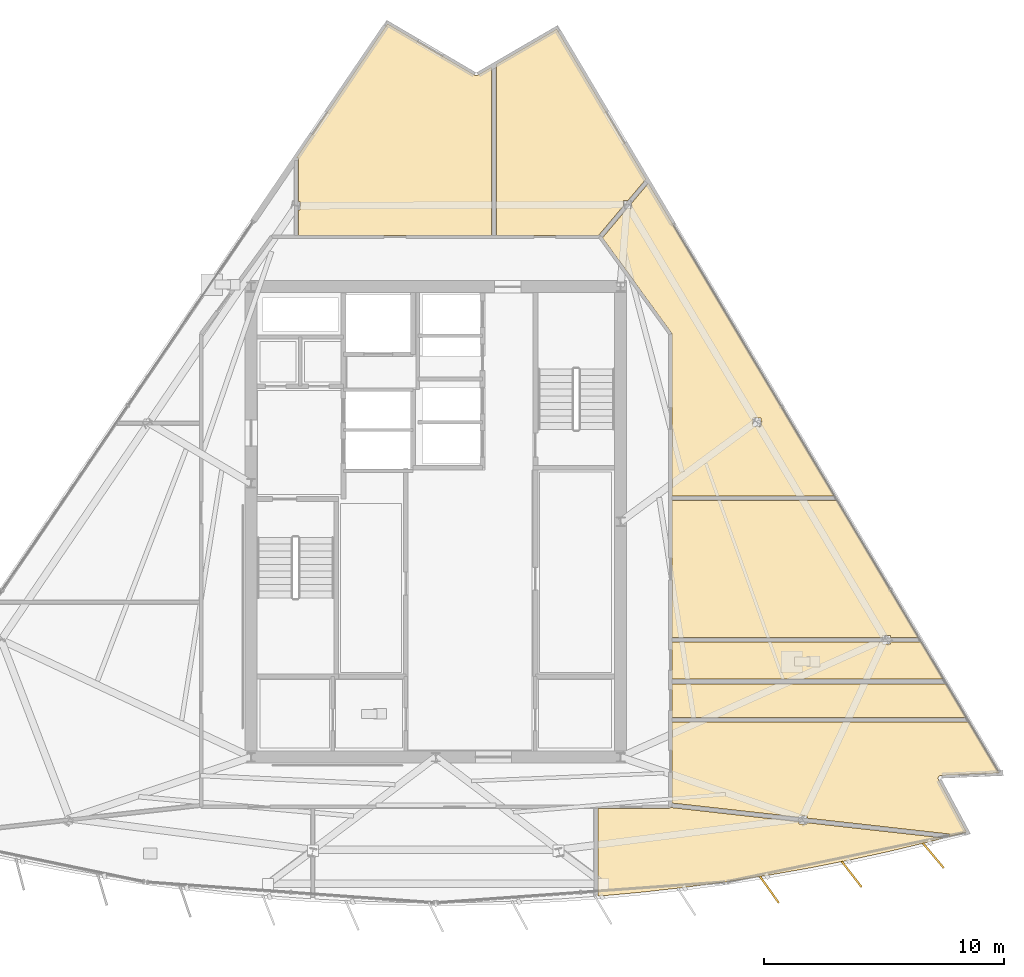
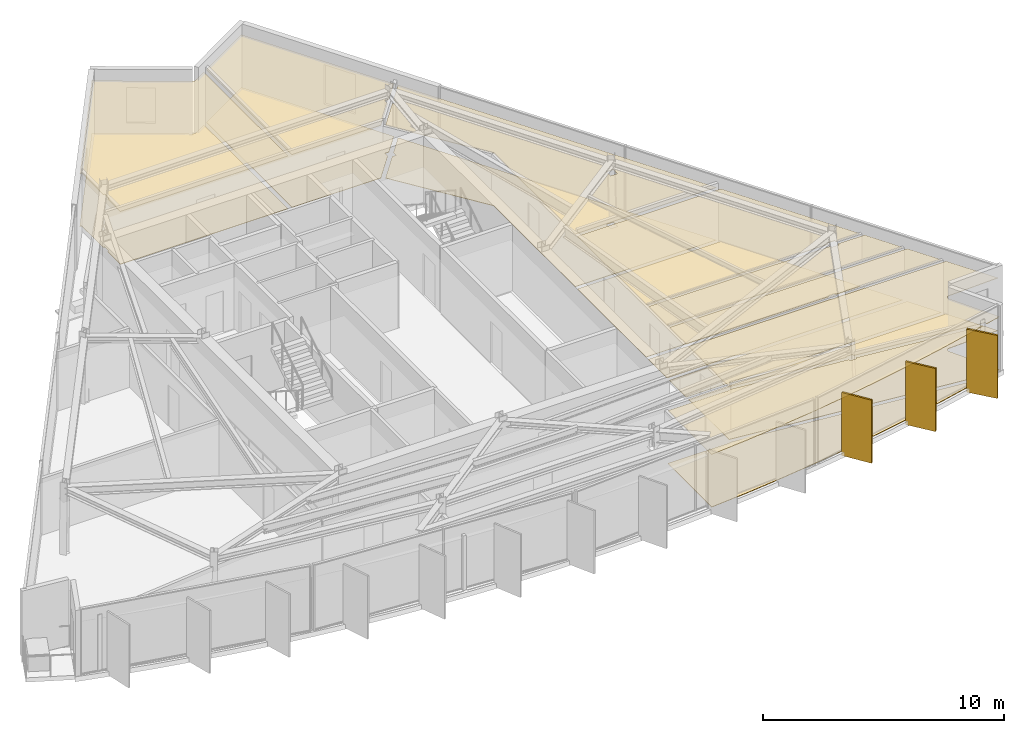
# One storey, part 11 of 12: 16 coverings, 3 shading devices.
"""IFC4 building model written with IfcOpenShell, lengths in metres."""

from ifc_helpers import new_model, si_unit, direction, frame, origin, origin_2d, place, context, subcontext, project, spatial, polyline, rectangle, outline, extrude, material, layer, layer_set, type_object, element, save


model = new_model("IFC4")

# Units and contexts
model_context = context("Model", 3, precision=1e-05, world=origin(), true_north=direction((0.0, 1.0)))
body_context = subcontext(model_context, "Body", "Model", "MODEL_VIEW")
ifc_project = project(units=[si_unit("LENGTHUNIT", "METRE"), si_unit("AREAUNIT", "SQUARE_METRE"), si_unit("VOLUMEUNIT", "CUBIC_METRE"), si_unit("PLANEANGLEUNIT", "RADIAN"), si_unit("MASSUNIT", "GRAM", prefix="KILO")], contexts=[model_context])

# Site, building, storey
site_placement = place(None, origin())
site = spatial("IfcSite", under=ifc_project, at=site_placement, CompositionType="ELEMENT")
building_placement = place(site_placement, origin())
building = spatial("IfcBuilding", under=site, at=building_placement, Name="Savorim Split Tower", CompositionType="ELEMENT")
storey_placement = place(building_placement, frame((0.0, 0.0, 279.60009765625)))
storey = spatial("IfcBuildingStorey", under=building, at=storey_placement, Name="L74", CompositionType="ELEMENT", Elevation=279.60009765625)

# Coverings
ifc_material_1 = material(Name="Mineral Fibre Acoustic Ceiling")
ifc_layer_1 = layer(ifc_material_1, 0.02490234375)
ifc_layer_set_1 = layer_set([ifc_layer_1], Name="COV-CEIL-25")
covering_type_1 = type_object("IfcCoveringType", Name="COV-CEIL-25", PredefinedType="CEILING", material=ifc_layer_set_1)
covering_1_placement = place(storey_placement, frame((0.0, 0.0, 2.669921875)))
element("IfcCovering", 1, at=covering_1_placement, inside=storey, type_object=covering_type_1, Name="L74 Maker Workshop Acoustic Ceiling", PredefinedType="CEILING", context=body_context, shape_type="SweptSolid", body=[
    extrude(outline(polyline([(15.5078125, -14.036865234375), (17.2080078125, -13.7021484375), (18.90087890625, -13.332763671875), (20.5859375, -12.9287109375), (21.17578125, -12.7744140625), (15.460693359375, -12.13671875), (15.460693359375, -12.19775390625), (15.1318359375, -12.19775390625), (15.1318359375, -12.099853515625), (9.82861328125, -11.508056640625), (9.793212890625, -11.504150390625), (9.788818359375, -11.50830078125), (9.77783203125, -11.516357421875), (9.76611328125, -11.5234375), (9.753662109375, -11.529296875), (9.740478515625, -11.533935546875), (9.727294921875, -11.537353515625), (9.713623046875, -11.539306640625), (9.699951171875, -11.5400390625), (6.768798828125, -11.5400390625), (6.768798828125, -15.196533203125), (6.923583984375, -15.185546875), (8.649169921875, -15.026123046875), (10.37109375, -14.83154296875), (12.088623046875, -14.601806640625), (13.801025390625, -14.3369140625), (15.5078125, -14.036865234375)])), origin(), (0.0, 0.0, 1.0), 0.02490234375),
])
covering_2_placement = place(storey_placement, frame((0.0, 0.0, 2.669921875)))
element("IfcCovering", 2, at=covering_2_placement, inside=storey, type_object=covering_type_1, Name="L74 Quiet Study Room Acoustic Ceiling", PredefinedType="CEILING", context=body_context, shape_type="SweptSolid", body=[
    extrude(outline(polyline([(21.022705078125, -10.172119140625), (21.033935546875, -10.169921875), (21.04541015625, -10.168701171875), (23.469970703125, -10.065673828125), (22.208984375, -7.9453125), (9.840087890625, -7.9453125), (9.840087890625, -11.318115234375), (15.1318359375, -11.90869140625), (15.1318359375, -11.84765625), (15.460693359375, -11.84765625), (15.460693359375, -11.945556640625), (21.303955078125, -12.59765625), (21.3984375, -12.608154296875), (21.385986328125, -12.719482421875), (22.1162109375, -12.528564453125), (20.94482421875, -10.345458984375), (20.93994140625, -10.3349609375), (20.93603515625, -10.32421875), (20.93310546875, -10.31298828125), (20.931396484375, -10.301513671875), (20.9306640625, -10.2900390625), (20.930908203125, -10.278564453125), (20.9326171875, -10.26708984375), (20.935302734375, -10.255859375), (20.93896484375, -10.244873046875), (20.943603515625, -10.234375), (20.94921875, -10.224365234375), (20.9560546875, -10.21484375), (20.96337890625, -10.206298828125), (20.9716796875, -10.1982421875), (20.98095703125, -10.19091796875), (20.990478515625, -10.184814453125), (21.0009765625, -10.179443359375), (21.01171875, -10.17529296875), (21.022705078125, -10.172119140625)])), origin(), (0.0, 0.0, 1.0), 0.02490234375),
])
covering_3_placement = place(storey_placement, frame((0.0, 0.0, 2.669921875)))
element("IfcCovering", 3, at=covering_3_placement, inside=storey, type_object=covering_type_1, Name="L74 Co-Living Bedroom Acoustic Ceiling", PredefinedType="CEILING", context=body_context, shape_type="SweptSolid", body=[
    extrude(outline(polyline([(22.095947265625, -7.755126953125), (21.260009765625, -6.34912109375), (9.840087890625, -6.34912109375), (9.840087890625, -7.755126953125), (22.095947265625, -7.755126953125)])), origin(), (0.0, 0.0, 1.0), 0.02490234375),
])
covering_4_placement = place(storey_placement, frame((0.0, 0.0, 2.669921875)))
element("IfcCovering", 4, at=covering_4_placement, inside=storey, type_object=covering_type_1, Name="L74 Shared Bathroom Acoustic Ceiling", PredefinedType="CEILING", context=body_context, shape_type="SweptSolid", body=[
    extrude(outline(polyline([(18.609130859375, -4.6865234375), (18.609130859375, -4.606689453125), (9.840087890625, -4.606689453125), (9.840087890625, -6.158935546875), (21.14697265625, -6.158935546875), (20.2041015625, -4.573486328125), (20.2041015625, -4.606689453125), (18.93798828125, -4.606689453125), (18.93798828125, -4.6865234375), (18.609130859375, -4.6865234375)])), origin(), (0.0, 0.0, 1.0), 0.02490234375),
])
covering_5_placement = place(storey_placement, frame((0.0, 0.0, 2.669921875)))
element("IfcCovering", 5, at=covering_5_placement, inside=storey, type_object=covering_type_1, Name="L74 Quiet Study Room Acoustic Ceiling", PredefinedType="CEILING", context=body_context, shape_type="SweptSolid", body=[
    extrude(outline(polyline([(18.93798828125, -4.336669921875), (18.93798828125, -4.41650390625), (20.109130859375, -4.41650390625), (20.11083984375, -4.41650390625), (16.721923828125, 1.28271484375), (9.840087890625, 1.28271484375), (9.840087890625, -4.41650390625), (18.609130859375, -4.41650390625), (18.609130859375, -4.336669921875), (18.93798828125, -4.336669921875)])), origin(), (0.0, 0.0, 1.0), 0.02490234375),
])
covering_6_placement = place(storey_placement, frame((0.0, 0.0, 2.669921875)))
element("IfcCovering", 6, at=covering_6_placement, inside=storey, type_object=covering_type_1, Name="L74 Quiet Study Room Acoustic Ceiling", PredefinedType="CEILING", context=body_context, shape_type="SweptSolid", body=[
    extrude(outline(polyline([(9.8369140625, 8.22900390625), (9.839111328125, 8.214599609375), (9.840087890625, 8.199951171875), (9.840087890625, 1.47265625), (16.60888671875, 1.47265625), (8.8583984375, 14.5068359375), (8.15478515625, 13.6708984375), (8.15478515625, 13.447998046875), (7.96728515625, 13.447998046875), (6.95849609375, 12.2490234375), (6.947021484375, 12.235595703125), (9.813232421875, 8.2822265625), (9.8212890625, 8.27001953125), (9.827880859375, 8.2568359375), (9.833251953125, 8.2431640625), (9.8369140625, 8.22900390625)]), holes=[polyline([(13.54638671875, 4.380615234375), (13.54638671875, 4.730712890625), (13.217529296875, 4.730712890625), (13.217529296875, 4.380615234375), (13.54638671875, 4.380615234375)])]), origin(), (0.0, 0.0, 1.0), 0.02490234375),
])
covering_7_placement = place(storey_placement, frame((0.0, 0.0, 2.669921875)))
element("IfcCovering", 7, at=covering_7_placement, inside=storey, type_object=covering_type_1, Name="L74 Quiet Study Room Acoustic Ceiling", PredefinedType="CEILING", context=body_context, shape_type="SweptSolid", body=[
    extrude(outline(polyline([(8.7001953125, 14.614013671875), (8.755615234375, 14.6796875), (5.039794921875, 20.92919921875), (2.52001953125, 19.460693359375), (2.52001953125, 12.340087890625), (6.78662109375, 12.340087890625), (7.825927734375, 13.574951171875), (7.825927734375, 13.798095703125), (8.013427734375, 13.798095703125), (8.7001953125, 14.614013671875)])), origin(), (0.0, 0.0, 1.0), 0.02490234375),
])
covering_8_placement = place(storey_placement, frame((0.0, 0.0, 2.669921875)))
element("IfcCovering", 8, at=covering_8_placement, inside=storey, type_object=covering_type_1, Name="L74 Quiet Study Room Acoustic Ceiling", PredefinedType="CEILING", context=body_context, shape_type="SweptSolid", body=[
    extrude(outline(polyline([(1.64794921875, 19.00146484375), (1.63720703125, 19.005859375), (1.626953125, 19.010986328125), (-2.01171875, 21.149658203125), (-5.816650390625, 15.55615234375), (-5.725830078125, 15.55615234375), (-5.725830078125, 13.749267578125), (-5.656494140625, 13.749267578125), (-5.656494140625, 13.399169921875), (-5.725830078125, 13.399169921875), (-5.725830078125, 12.340087890625), (2.330078125, 12.340087890625), (2.330078125, 19.35009765625), (1.748291015625, 19.010986328125), (1.738037109375, 19.005615234375), (1.727294921875, 19.001220703125), (1.71630859375, 18.998046875), (1.704833984375, 18.995849609375), (1.693359375, 18.99462890625), (1.681884765625, 18.99462890625), (1.67041015625, 18.995849609375), (1.658935546875, 18.998046875), (1.64794921875, 19.00146484375)])), origin(), (0.0, 0.0, 1.0), 0.02490234375),
])
ifc_material_2 = material(Name="Porcelain Stoneware Flooring", Category="masonry")
ifc_layer_2 = layer(ifc_material_2, 0.02001953125)
ifc_layer_set_2 = layer_set([ifc_layer_2], Name="COV-FLOR-20")
covering_type_2 = type_object("IfcCoveringType", Name="COV-FLOR-20", PredefinedType="FLOORING", material=ifc_layer_set_2)
covering_9_placement = place(storey_placement, origin())
element("IfcCovering", 9, at=covering_9_placement, inside=storey, type_object=covering_type_2, Name="L74 Maker Workshop Porcelain Flooring", PredefinedType="FLOORING", context=body_context, shape_type="SweptSolid", body=[
    extrude(outline(polyline([(15.5078125, -14.036865234375), (17.2080078125, -13.7021484375), (18.90087890625, -13.332763671875), (20.5859375, -12.9287109375), (21.17578125, -12.7744140625), (15.460693359375, -12.13671875), (15.460693359375, -12.19775390625), (15.1318359375, -12.19775390625), (15.1318359375, -12.099853515625), (9.82861328125, -11.508056640625), (9.793212890625, -11.504150390625), (9.788818359375, -11.50830078125), (9.77783203125, -11.516357421875), (9.76611328125, -11.5234375), (9.753662109375, -11.529296875), (9.740478515625, -11.533935546875), (9.727294921875, -11.537353515625), (9.713623046875, -11.539306640625), (9.699951171875, -11.5400390625), (6.768798828125, -11.5400390625), (6.768798828125, -15.196533203125), (6.923583984375, -15.185546875), (8.649169921875, -15.026123046875), (10.37109375, -14.83154296875), (12.088623046875, -14.601806640625), (13.801025390625, -14.3369140625), (15.5078125, -14.036865234375)])), origin(), (0.0, 0.0, 1.0), 0.02001953125),
])
covering_10_placement = place(storey_placement, origin())
element("IfcCovering", 10, at=covering_10_placement, inside=storey, type_object=covering_type_2, Name="L74 Quiet Study Room Porcelain Flooring", PredefinedType="FLOORING", context=body_context, shape_type="SweptSolid", body=[
    extrude(outline(polyline([(21.022705078125, -10.172119140625), (21.033935546875, -10.169921875), (21.04541015625, -10.168701171875), (23.469970703125, -10.065673828125), (22.208984375, -7.9453125), (9.840087890625, -7.9453125), (9.840087890625, -11.318115234375), (15.1318359375, -11.90869140625), (15.1318359375, -11.84765625), (15.460693359375, -11.84765625), (15.460693359375, -11.945556640625), (21.303955078125, -12.59765625), (21.3984375, -12.608154296875), (21.385986328125, -12.719482421875), (22.1162109375, -12.528564453125), (20.94482421875, -10.345458984375), (20.93994140625, -10.3349609375), (20.93603515625, -10.32421875), (20.93310546875, -10.31298828125), (20.931396484375, -10.301513671875), (20.9306640625, -10.2900390625), (20.930908203125, -10.278564453125), (20.9326171875, -10.26708984375), (20.935302734375, -10.255859375), (20.93896484375, -10.244873046875), (20.943603515625, -10.234375), (20.94921875, -10.224365234375), (20.9560546875, -10.21484375), (20.96337890625, -10.206298828125), (20.9716796875, -10.1982421875), (20.98095703125, -10.19091796875), (20.990478515625, -10.184814453125), (21.0009765625, -10.179443359375), (21.01171875, -10.17529296875), (21.022705078125, -10.172119140625)])), origin(), (0.0, 0.0, 1.0), 0.02001953125),
])
covering_11_placement = place(storey_placement, origin())
element("IfcCovering", 11, at=covering_11_placement, inside=storey, type_object=covering_type_2, Name="L74 Co-Living Bedroom Porcelain Flooring", PredefinedType="FLOORING", context=body_context, shape_type="SweptSolid", body=[
    extrude(outline(polyline([(22.095947265625, -7.755126953125), (21.260009765625, -6.34912109375), (9.840087890625, -6.34912109375), (9.840087890625, -7.755126953125), (22.095947265625, -7.755126953125)])), origin(), (0.0, 0.0, 1.0), 0.02001953125),
])
covering_12_placement = place(storey_placement, origin())
element("IfcCovering", 12, at=covering_12_placement, inside=storey, type_object=covering_type_2, Name="L74 Shared Bathroom Porcelain Flooring", PredefinedType="FLOORING", context=body_context, shape_type="SweptSolid", body=[
    extrude(outline(polyline([(18.609130859375, -4.6865234375), (18.609130859375, -4.606689453125), (9.840087890625, -4.606689453125), (9.840087890625, -6.158935546875), (21.14697265625, -6.158935546875), (20.2041015625, -4.573486328125), (20.2041015625, -4.606689453125), (18.93798828125, -4.606689453125), (18.93798828125, -4.6865234375), (18.609130859375, -4.6865234375)])), origin(), (0.0, 0.0, 1.0), 0.02001953125),
])
covering_13_placement = place(storey_placement, origin())
element("IfcCovering", 13, at=covering_13_placement, inside=storey, type_object=covering_type_2, Name="L74 Quiet Study Room Porcelain Flooring", PredefinedType="FLOORING", context=body_context, shape_type="SweptSolid", body=[
    extrude(outline(polyline([(18.93798828125, -4.336669921875), (18.93798828125, -4.41650390625), (20.109130859375, -4.41650390625), (20.11083984375, -4.41650390625), (16.721923828125, 1.28271484375), (9.840087890625, 1.28271484375), (9.840087890625, -4.41650390625), (18.609130859375, -4.41650390625), (18.609130859375, -4.336669921875), (18.93798828125, -4.336669921875)])), origin(), (0.0, 0.0, 1.0), 0.02001953125),
])
covering_14_placement = place(storey_placement, origin())
element("IfcCovering", 14, at=covering_14_placement, inside=storey, type_object=covering_type_2, Name="L74 Quiet Study Room Porcelain Flooring", PredefinedType="FLOORING", context=body_context, shape_type="SweptSolid", body=[
    extrude(outline(polyline([(9.8369140625, 8.22900390625), (9.839111328125, 8.214599609375), (9.840087890625, 8.199951171875), (9.840087890625, 1.47265625), (16.60888671875, 1.47265625), (8.8583984375, 14.5068359375), (8.15478515625, 13.6708984375), (8.15478515625, 13.447998046875), (7.96728515625, 13.447998046875), (6.95849609375, 12.2490234375), (6.947021484375, 12.235595703125), (9.813232421875, 8.2822265625), (9.8212890625, 8.27001953125), (9.827880859375, 8.2568359375), (9.833251953125, 8.2431640625), (9.8369140625, 8.22900390625)]), holes=[polyline([(13.54638671875, 4.380615234375), (13.54638671875, 4.730712890625), (13.217529296875, 4.730712890625), (13.217529296875, 4.380615234375), (13.54638671875, 4.380615234375)])]), origin(), (0.0, 0.0, 1.0), 0.02001953125),
])
covering_15_placement = place(storey_placement, origin())
element("IfcCovering", 15, at=covering_15_placement, inside=storey, type_object=covering_type_2, Name="L74 Quiet Study Room Porcelain Flooring", PredefinedType="FLOORING", context=body_context, shape_type="SweptSolid", body=[
    extrude(outline(polyline([(8.7001953125, 14.614013671875), (8.755615234375, 14.6796875), (5.039794921875, 20.92919921875), (2.52001953125, 19.460693359375), (2.52001953125, 12.340087890625), (6.78662109375, 12.340087890625), (7.825927734375, 13.574951171875), (7.825927734375, 13.798095703125), (8.013427734375, 13.798095703125), (8.7001953125, 14.614013671875)])), origin(), (0.0, 0.0, 1.0), 0.02001953125),
])
covering_16_placement = place(storey_placement, origin())
element("IfcCovering", 16, at=covering_16_placement, inside=storey, type_object=covering_type_2, Name="L74 Quiet Study Room Porcelain Flooring", PredefinedType="FLOORING", context=body_context, shape_type="SweptSolid", body=[
    extrude(outline(polyline([(1.64794921875, 19.00146484375), (1.63720703125, 19.005859375), (1.626953125, 19.010986328125), (-2.01171875, 21.149658203125), (-5.816650390625, 15.55615234375), (-5.725830078125, 15.55615234375), (-5.725830078125, 13.749267578125), (-5.656494140625, 13.749267578125), (-5.656494140625, 13.399169921875), (-5.725830078125, 13.399169921875), (-5.725830078125, 12.340087890625), (2.330078125, 12.340087890625), (2.330078125, 19.35009765625), (1.748291015625, 19.010986328125), (1.738037109375, 19.005615234375), (1.727294921875, 19.001220703125), (1.71630859375, 18.998046875), (1.704833984375, 18.995849609375), (1.693359375, 18.99462890625), (1.681884765625, 18.99462890625), (1.67041015625, 18.995849609375), (1.658935546875, 18.998046875), (1.64794921875, 19.00146484375)])), origin(), (0.0, 0.0, 1.0), 0.02001953125),
])

# Shading devices
ifc_material_3 = material(Name="Terracotta Ceramic-Coated Aluminium Fin", Category="masonry")
shading_device_type = type_object("IfcShadingDeviceType", Name="SHD-FIN-1360", PredefinedType="USERDEFINED", material=ifc_material_3)
for number, where, z_axis, x_axis, name in (
    (17, (13.898193359375, -14.9248046875, -0.2001953125), (0.0, 0.0, 1.0), (0.578993757737, -0.815331974414, 0.0), "L74 Sawtooth Shading Fin 11"),
    (18, (17.3291015625, -14.28564453125, -0.2001953125), (0.0, 0.0, 1.0), (0.611868076908, -0.790959832394, 0.0), "L74 Sawtooth Shading Fin 12"),
    (19, (20.73095703125, -13.5068359375, -0.2001953125), (0.0, 0.0, 1.0), (0.643719022682, -0.765261928909, 0.0), "L74 Sawtooth Shading Fin 13"),
):
    element("IfcShadingDevice", number, at=place(storey_placement, frame(where, z_axis=z_axis, x_axis=x_axis)), inside=storey, type_object=shading_device_type, Name=name, ObjectType="FIN", PredefinedType="USERDEFINED", context=body_context, shape_type="SweptSolid", body=[
        extrude(rectangle(XDim=1.360107421875, YDim=0.080078125, at=origin_2d()), origin(), (0.0, 0.0, 1.0), 3.199951171875),
    ])

save(model, "model.ifc")
